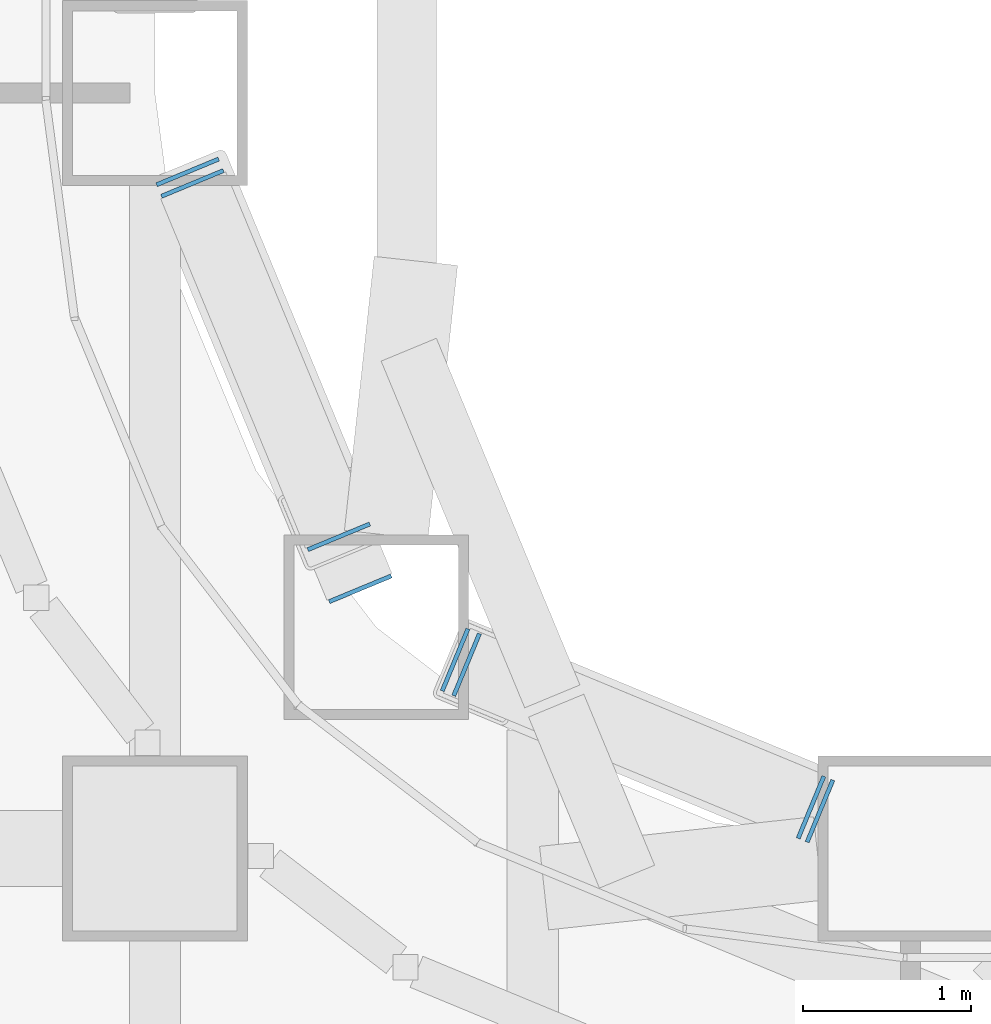
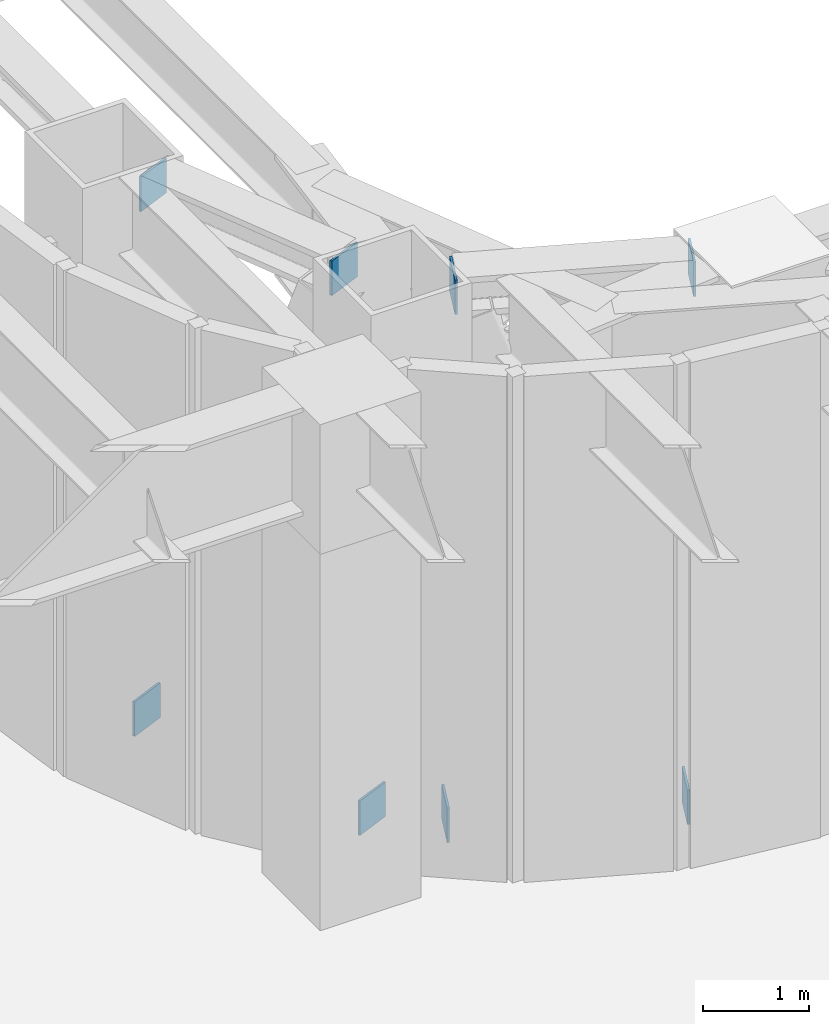
# One storey, part 6 of 19: 8 plates.
"""IFC4 building model written with IfcOpenShell, lengths in metres."""

from ifc_helpers import new_model, si_unit, direction, frame, origin, origin_2d, place, context, subcontext, project, spatial, rectangle, extrude, material, layer, layer_set, type_object, element, save


model = new_model("IFC4")

# Units and contexts
model_context = context("Model", 3, precision=1e-05, world=origin(), true_north=direction((0.0, 1.0)))
body_context = subcontext(model_context, "Body", "Model", "MODEL_VIEW")
ifc_project = project(units=[si_unit("LENGTHUNIT", "METRE"), si_unit("AREAUNIT", "SQUARE_METRE"), si_unit("VOLUMEUNIT", "CUBIC_METRE"), si_unit("PLANEANGLEUNIT", "RADIAN"), si_unit("MASSUNIT", "GRAM", prefix="KILO")], contexts=[model_context])

# Site, building, storey
site_placement = place(None, origin())
site = spatial("IfcSite", under=ifc_project, at=site_placement, CompositionType="ELEMENT")
building_placement = place(site_placement, origin())
building = spatial("IfcBuilding", under=site, at=building_placement, Name="Sennacour Bend Tower", CompositionType="ELEMENT")
storey_placement = place(building_placement, frame((0.0, 0.0, 77.0)))
storey = spatial("IfcBuildingStorey", under=building, at=storey_placement, Name="L17", CompositionType="ELEMENT", Elevation=77.0)

# Plates
ifc_material = material(Name="Steel ASTM A572 Grade 50", Category="steel")
ifc_layer = layer(ifc_material, 0.02490234375, Name="Steel ASTM A572 Grade 50", Category="steel")
ifc_layer_set = layer_set([ifc_layer], Name="Steel ASTM A572 Grade 50")
plate_type = type_object("IfcPlateType", Name="Connection end plate 25", PredefinedType="USERDEFINED", material=ifc_layer_set)
for number, where, z_axis, x_axis, name in (
    (1, (22.694580078125, 26.5302734375, -0.677490234375), (0.0, 0.0, 1.0), (-0.382683432365, 0.923879532511, 0.0), "Connection end plate CEP 25"),
    (2, (23.72314453125, 24.047119140625, -0.677490234375), (0.0, 0.0, 1.0), (0.382683432365, -0.923879532511, 0.0), "Connection end plate CEP 25"),
    (3, (24.287841796875, 23.62353515625, -0.677490234375), (0.0, 0.0, 1.0), (-0.923879532511, 0.382683432365, 0.0), "Connection end plate CEP 25"),
    (4, (26.407958984375, 22.7451171875, -0.677490234375), (0.0, 0.0, 1.0), (0.923879532511, -0.382683432365, 0.0), "Connection end plate CEP 25"),
    (5, (22.72314453125, 26.461669921875, 5.422607421875), (0.0, 0.0, 1.0), (-0.382683432365, 0.923879532511, 0.0), "Connection end plate CEP 25"),
    (6, (23.594970703125, 24.3564453125, 5.422607421875), (0.0, 0.0, 1.0), (0.382683432365, -0.923879532511, 0.0), "Connection end plate CEP 25"),
    (7, (24.3564453125, 23.594970703125, 5.422607421875), (0.0, 0.0, 1.0), (-0.923879532511, 0.382683432365, 0.0), "Connection end plate CEP 25"),
    (8, (26.461669921875, 22.72314453125, 5.422607421875), (0.0, 0.0, 1.0), (0.923879532511, -0.382683432365, 0.0), "Connection end plate CEP 25"),
):
    element("IfcPlate", number, at=place(storey_placement, frame(where, z_axis=z_axis, x_axis=x_axis)), inside=storey, type_object=plate_type, Name=name, ObjectType="END PLATE", PredefinedType="USERDEFINED", context=body_context, shape_type="SweptSolid", body=[
        extrude(rectangle(XDim=0.02490234375, YDim=0.39990234375, at=origin_2d()), origin(), (0.0, 0.0, 1.0), 0.39990234375),
    ])

save(model, "model.ifc")
